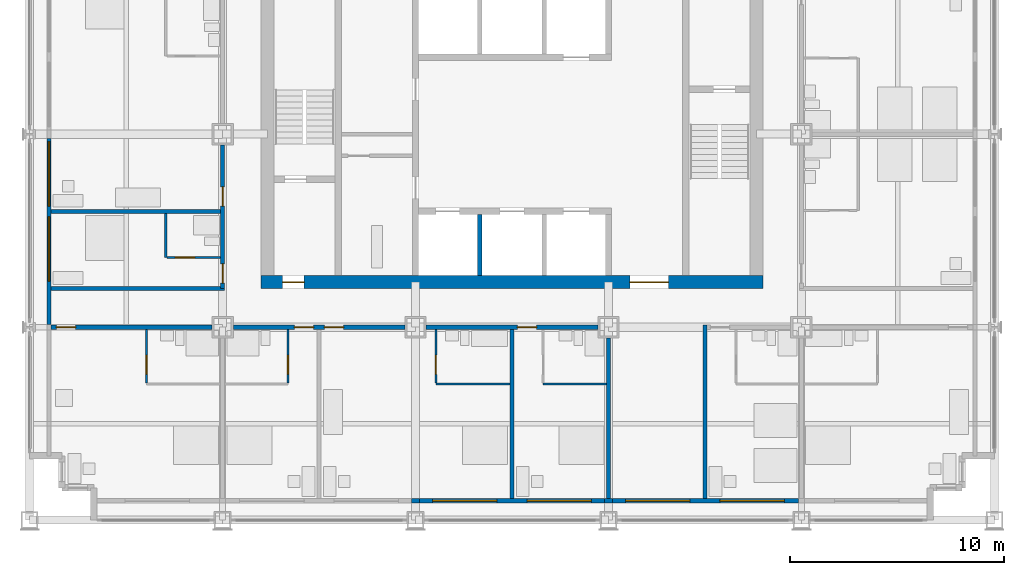
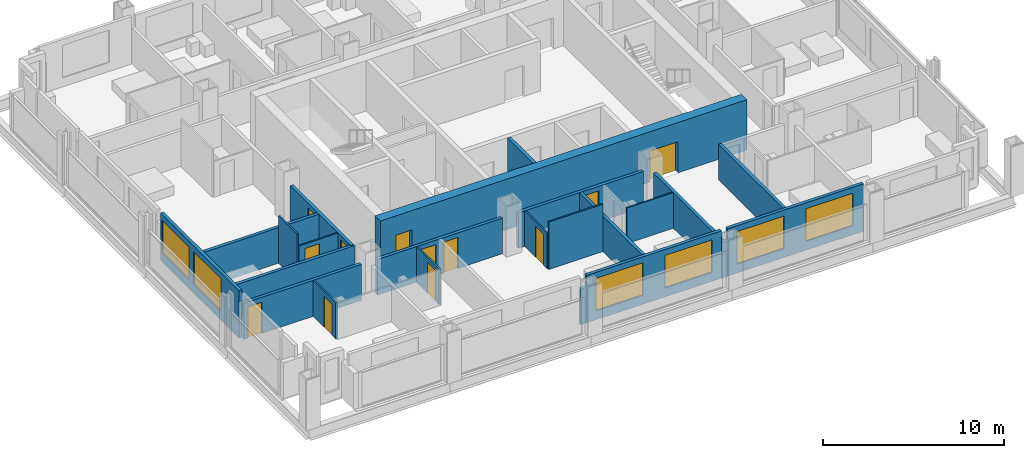
# One storey, part 9 of 16: 23 walls, 12 doors, 6 windows, 18 openings.
"""IFC4 building model written with IfcOpenShell, lengths in metres."""

from ifc_helpers import new_model, si_unit, direction, frame, frame_2d, origin, place, context, subcontext, project, spatial, rectangle, extrude, material, layer, layer_set, type_object, element, fill, save


model = new_model("IFC4")

# Units and contexts
model_context = context("Model", 3, precision=1e-05, world=origin(), true_north=direction((0.0, 1.0)))
body_context = subcontext(model_context, "Body", "Model", "MODEL_VIEW")
ifc_project = project(units=[si_unit("LENGTHUNIT", "METRE"), si_unit("AREAUNIT", "SQUARE_METRE"), si_unit("VOLUMEUNIT", "CUBIC_METRE"), si_unit("PLANEANGLEUNIT", "RADIAN"), si_unit("MASSUNIT", "GRAM", prefix="KILO")], contexts=[model_context])

# Site, building, storey
site_placement = place(None, origin())
site = spatial("IfcSite", under=ifc_project, at=site_placement, CompositionType="ELEMENT")
building_placement = place(site_placement, origin())
building = spatial("IfcBuilding", under=site, at=building_placement, Name="Loomwork Tower", CompositionType="ELEMENT")
storey_placement = place(building_placement, frame((0.0, 0.0, 97.60009765625)))
storey = spatial("IfcBuildingStorey", under=building, at=storey_placement, Name="L25", CompositionType="ELEMENT", Elevation=97.60009765625)

# Wall, openings, doors
ifc_material_1 = material(Name="Concrete 14000 psi (97 MPa)", Category="concrete")
ifc_layer_1 = layer(ifc_material_1, 0.60009765625)
ifc_layer_set_1 = layer_set([ifc_layer_1], Name="Core shear wall 600")
wall_type_1 = type_object("IfcWallType", Name="Core shear wall 600", PredefinedType="SHEAR", material=ifc_layer_set_1)
wall_1_placement = place(storey_placement, frame((10.800048828125, 11.10009765625, 0.0), z_axis=(0.0, 0.0, 1.0), x_axis=(1.0, 0.0, 0.0)))
wall_1 = element("IfcWall", 1, at=wall_1_placement, inside=storey, type_object=wall_type_1, Name="Core wall south L25", PredefinedType="SHEAR", context=body_context, shape_type="SweptSolid", body=[
    extrude(rectangle(XDim=23.39990234375, YDim=0.60009765625, at=frame_2d((11.699951171875, 0.0))), origin(), (0.0, 0.0, 1.0), 3.39990234375),
])
opening_1_placement = place(wall_1_placement, frame((1.0, 0.0, 0.0)))
opening_1 = element("IfcOpeningElement", 2, at=opening_1_placement, cuts=wall_1, Name="Opening D4", PredefinedType="OPENING", context=body_context, shape_type="SweptSolid", body=[
    extrude(rectangle(XDim=1.0, YDim=2.10009765625, at=frame_2d((0.5, 1.050048828125))), frame((0.0, 0.31005859375, 0.0), z_axis=(0.0, -1.0, 0.0), x_axis=(1.0, 0.0, 0.0)), (0.0, 0.0, 1.0), 0.6201171875),
])
opening_2_placement = place(wall_1_placement, frame((17.199951171875, 0.0, 0.0)))
opening_2 = element("IfcOpeningElement", 3, at=opening_2_placement, cuts=wall_1, Name="Opening D6", PredefinedType="OPENING", context=body_context, shape_type="SweptSolid", body=[
    extrude(rectangle(XDim=1.800048828125, YDim=2.10009765625, at=frame_2d((0.89990234375, 1.050048828125))), frame((0.0, 0.31005859375, 0.0), z_axis=(0.0, -1.0, 0.0), x_axis=(1.0, 0.0, 0.0)), (0.0, 0.0, 1.0), 0.6201171875),
])
ifc_material_2 = material(Name="Hollow metal door and frame")
door_type_1 = type_object("IfcDoorType", Name="Lobby passage double door 1800", OperationType="DOUBLE_DOOR_SINGLE_SWING", PredefinedType="DOOR", material=ifc_material_2)
door_1_placement = place(opening_2_placement, origin())
door_1 = element("IfcDoor", 4, at=door_1_placement, inside=storey, type_object=door_type_1, Name="Lobby passage door south", OperationType="DOUBLE_DOOR_SINGLE_SWING", OverallHeight=2.10009765625, OverallWidth=1.800048828125, PredefinedType="DOOR", context=body_context, shape_type="SweptSolid", body=[
    extrude(rectangle(XDim=1.800048828125, YDim=2.10009765625, at=frame_2d((0.89990234375, 1.050048828125))), frame((0.0, 0.02490234375, 0.0), z_axis=(0.0, -1.0, 0.0), x_axis=(1.0, 0.0, 0.0)), (0.0, 0.0, 1.0), 0.050048828125),
])
fill(opening_2, door_1)
ifc_material_3 = material(Name="Hollow metal door and frame")
door_type_2 = type_object("IfcDoorType", Name="Stair door 1000", OperationType="SINGLE_SWING_RIGHT", PredefinedType="DOOR", material=ifc_material_3)
door_2_placement = place(opening_1_placement, origin())
door_2 = element("IfcDoor", 5, at=door_2_placement, inside=storey, type_object=door_type_2, Name="Stair A vestibule door", OperationType="SINGLE_SWING_LEFT", OverallHeight=2.10009765625, OverallWidth=1.0, PredefinedType="DOOR", context=body_context, shape_type="SweptSolid", body=[
    extrude(rectangle(XDim=1.0, YDim=2.10009765625, at=frame_2d((0.5, 1.050048828125))), frame((0.0, 0.02490234375, 0.0), z_axis=(0.0, -1.0, 0.0), x_axis=(1.0, 0.0, 0.0)), (0.0, 0.0, 1.0), 0.050048828125),
])
fill(opening_1, door_2)

# Wall, opening, door
ifc_material_4 = material(Name="Gypsum board on steel studs, one-hour", Category="steel")
ifc_layer_2 = layer(ifc_material_4, 0.199951171875)
ifc_layer_set_2 = layer_set([ifc_layer_2], Name="Corridor wall 200")
wall_type_2 = type_object("IfcWallType", Name="Corridor wall 200", PredefinedType="PARTITIONING", material=ifc_layer_set_2)
wall_2_placement = place(storey_placement, frame((1.0, 9.0, 0.0), z_axis=(0.0, 0.0, 1.0), x_axis=(1.0, 0.0, 0.0)))
wall_2 = element("IfcWall", 6, at=wall_2_placement, inside=storey, type_object=wall_type_2, Name="South corridor wall 1", PredefinedType="PARTITIONING", context=body_context, shape_type="SweptSolid", body=[
    extrude(rectangle(XDim=7.5, YDim=0.199951171875, at=frame_2d((3.75, 0.0))), origin(), (0.0, 0.0, 1.0), 2.43798828125),
])
opening_3_placement = place(wall_2_placement, frame((0.25, 0.0, 0.0)))
opening_3 = element("IfcOpeningElement", 7, at=opening_3_placement, cuts=wall_2, Name="Opening D1", PredefinedType="OPENING", context=body_context, shape_type="SweptSolid", body=[
    extrude(rectangle(XDim=0.89990234375, YDim=2.10009765625, at=frame_2d((0.449951171875, 1.050048828125))), frame((0.0, 0.10986328125, 0.0), z_axis=(0.0, -1.0, 0.0), x_axis=(1.0, 0.0, 0.0)), (0.0, 0.0, 1.0), 0.219970703125),
])
ifc_material_5 = material(Name="Hollow metal door and frame")
door_type_3 = type_object("IfcDoorType", Name="Guest room entry door 900", OperationType="SINGLE_SWING_LEFT", PredefinedType="DOOR", material=ifc_material_5)
door_3_placement = place(opening_3_placement, frame((0.89990234375, 0.0, 0.0), z_axis=(0.0, 0.0, 1.0), x_axis=(-1.0, 0.0, 0.0)))
door_3 = element("IfcDoor", 8, at=door_3_placement, inside=storey, type_object=door_type_3, Name="Guest room entry door L25 1", OperationType="SINGLE_SWING_RIGHT", OverallHeight=2.10009765625, OverallWidth=0.89990234375, PredefinedType="DOOR", context=body_context, shape_type="SweptSolid", body=[
    extrude(rectangle(XDim=0.89990234375, YDim=2.10009765625, at=frame_2d((0.449951171875, 1.050048828125))), frame((0.0, 0.02490234375, 0.0), z_axis=(0.0, -1.0, 0.0), x_axis=(1.0, 0.0, 0.0)), (0.0, 0.0, 1.0), 0.050048828125),
])
fill(opening_3, door_3)

# Wall, openings, doors
wall_3_placement = place(storey_placement, frame((9.5, 9.0, 0.0), z_axis=(0.0, 0.0, 1.0), x_axis=(1.0, 0.0, 0.0)))
wall_3 = element("IfcWall", 9, at=wall_3_placement, inside=storey, type_object=wall_type_2, Name="South corridor wall 2", PredefinedType="PARTITIONING", context=body_context, shape_type="SweptSolid", body=[
    extrude(rectangle(XDim=8.0, YDim=0.199951171875, at=frame_2d((4.0, 0.0))), origin(), (0.0, 0.0, 1.0), 2.40478515625),
])
opening_4_placement = place(wall_3_placement, frame((2.85009765625, 0.0, 0.0)))
opening_4 = element("IfcOpeningElement", 10, at=opening_4_placement, cuts=wall_3, Name="Opening D1", PredefinedType="OPENING", context=body_context, shape_type="SweptSolid", body=[
    extrude(rectangle(XDim=0.89990234375, YDim=2.10009765625, at=frame_2d((0.449951171875, 1.050048828125))), frame((0.0, 0.10986328125, 0.0), z_axis=(0.0, -1.0, 0.0), x_axis=(1.0, 0.0, 0.0)), (0.0, 0.0, 1.0), 0.219970703125),
])
opening_5_placement = place(wall_3_placement, frame((4.25, 0.0, 0.0)))
opening_5 = element("IfcOpeningElement", 11, at=opening_5_placement, cuts=wall_3, Name="Opening D1", PredefinedType="OPENING", context=body_context, shape_type="SweptSolid", body=[
    extrude(rectangle(XDim=0.89990234375, YDim=2.10009765625, at=frame_2d((0.449951171875, 1.050048828125))), frame((0.0, 0.10986328125, 0.0), z_axis=(0.0, -1.0, 0.0), x_axis=(1.0, 0.0, 0.0)), (0.0, 0.0, 1.0), 0.219970703125),
])
door_4_placement = place(opening_4_placement, frame((0.89990234375, 0.0, 0.0), z_axis=(0.0, 0.0, 1.0), x_axis=(-1.0, 0.0, 0.0)))
door_4 = element("IfcDoor", 12, at=door_4_placement, inside=storey, type_object=door_type_3, Name="Guest room entry door L25 2", OperationType="SINGLE_SWING_LEFT", OverallHeight=2.10009765625, OverallWidth=0.89990234375, PredefinedType="DOOR", context=body_context, shape_type="SweptSolid", body=[
    extrude(rectangle(XDim=0.89990234375, YDim=2.10009765625, at=frame_2d((0.449951171875, 1.050048828125))), frame((0.0, 0.02490234375, 0.0), z_axis=(0.0, -1.0, 0.0), x_axis=(1.0, 0.0, 0.0)), (0.0, 0.0, 1.0), 0.050048828125),
])
fill(opening_4, door_4)
door_5_placement = place(opening_5_placement, frame((0.89990234375, 0.0, 0.0), z_axis=(0.0, 0.0, 1.0), x_axis=(-1.0, 0.0, 0.0)))
door_5 = element("IfcDoor", 13, at=door_5_placement, inside=storey, type_object=door_type_3, Name="Guest room entry door L25 3", OperationType="SINGLE_SWING_RIGHT", OverallHeight=2.10009765625, OverallWidth=0.89990234375, PredefinedType="DOOR", context=body_context, shape_type="SweptSolid", body=[
    extrude(rectangle(XDim=0.89990234375, YDim=2.10009765625, at=frame_2d((0.449951171875, 1.050048828125))), frame((0.0, 0.02490234375, 0.0), z_axis=(0.0, -1.0, 0.0), x_axis=(1.0, 0.0, 0.0)), (0.0, 0.0, 1.0), 0.050048828125),
])
fill(opening_5, door_5)

# Wall, opening, door
wall_4_placement = place(storey_placement, frame((18.5, 9.0, 0.0), z_axis=(0.0, 0.0, 1.0), x_axis=(1.0, 0.0, 0.0)))
wall_4 = element("IfcWall", 14, at=wall_4_placement, inside=storey, type_object=wall_type_2, Name="South corridor wall 3", PredefinedType="PARTITIONING", context=body_context, shape_type="SweptSolid", body=[
    extrude(rectangle(XDim=8.0, YDim=0.199951171875, at=frame_2d((4.0, 0.0))), origin(), (0.0, 0.0, 1.0), 2.40478515625),
])
opening_6_placement = place(wall_4_placement, frame((4.25, 0.0, 0.0)))
opening_6 = element("IfcOpeningElement", 15, at=opening_6_placement, cuts=wall_4, Name="Opening D1", PredefinedType="OPENING", context=body_context, shape_type="SweptSolid", body=[
    extrude(rectangle(XDim=0.89990234375, YDim=2.10009765625, at=frame_2d((0.449951171875, 1.050048828125))), frame((0.0, 0.10986328125, 0.0), z_axis=(0.0, -1.0, 0.0), x_axis=(1.0, 0.0, 0.0)), (0.0, 0.0, 1.0), 0.219970703125),
])
door_6_placement = place(opening_6_placement, frame((0.89990234375, 0.0, 0.0), z_axis=(0.0, 0.0, 1.0), x_axis=(-1.0, 0.0, 0.0)))
door_6 = element("IfcDoor", 16, at=door_6_placement, inside=storey, type_object=door_type_3, Name="Guest room entry door L25 4", OperationType="SINGLE_SWING_RIGHT", OverallHeight=2.10009765625, OverallWidth=0.89990234375, PredefinedType="DOOR", context=body_context, shape_type="SweptSolid", body=[
    extrude(rectangle(XDim=0.89990234375, YDim=2.10009765625, at=frame_2d((0.449951171875, 1.050048828125))), frame((0.0, 0.02490234375, 0.0), z_axis=(0.0, -1.0, 0.0), x_axis=(1.0, 0.0, 0.0)), (0.0, 0.0, 1.0), 0.050048828125),
])
fill(opening_6, door_6)

# Wall, openings, doors
wall_5_placement = place(storey_placement, frame((9.0, 10.800048828125, 0.0), z_axis=(0.0, 0.0, 1.0), x_axis=(0.0, 1.0, 0.0)))
wall_5 = element("IfcWall", 17, at=wall_5_placement, inside=storey, type_object=wall_type_2, Name="West corridor wall 1", PredefinedType="PARTITIONING", context=body_context, shape_type="SweptSolid", body=[
    extrude(rectangle(XDim=6.699951171875, YDim=0.199951171875, at=frame_2d((3.35009765625, 0.0))), origin(), (0.0, 0.0, 1.0), 2.40478515625),
])
opening_7_placement = place(wall_5_placement, frame((0.25, 0.0, 0.0)))
opening_7 = element("IfcOpeningElement", 18, at=opening_7_placement, cuts=wall_5, Name="Opening D1", PredefinedType="OPENING", context=body_context, shape_type="SweptSolid", body=[
    extrude(rectangle(XDim=0.89990234375, YDim=2.10009765625, at=frame_2d((0.449951171875, 1.050048828125))), frame((0.0, 0.10986328125, 0.0), z_axis=(0.0, -1.0, 0.0), x_axis=(1.0, 0.0, 0.0)), (0.0, 0.0, 1.0), 0.219970703125),
])
opening_8_placement = place(wall_5_placement, frame((3.85009765625, 0.0, 0.0)))
opening_8 = element("IfcOpeningElement", 19, at=opening_8_placement, cuts=wall_5, Name="Opening D1", PredefinedType="OPENING", context=body_context, shape_type="SweptSolid", body=[
    extrude(rectangle(XDim=0.89990234375, YDim=2.10009765625, at=frame_2d((0.449951171875, 1.050048828125))), frame((0.0, 0.10986328125, 0.0), z_axis=(0.0, -1.0, 0.0), x_axis=(1.0, 0.0, 0.0)), (0.0, 0.0, 1.0), 0.219970703125),
])
door_7_placement = place(opening_7_placement, origin())
door_7 = element("IfcDoor", 20, at=door_7_placement, inside=storey, type_object=door_type_3, Name="Guest room entry door L25 14", OperationType="SINGLE_SWING_LEFT", OverallHeight=2.10009765625, OverallWidth=0.89990234375, PredefinedType="DOOR", context=body_context, shape_type="SweptSolid", body=[
    extrude(rectangle(XDim=0.89990234375, YDim=2.10009765625, at=frame_2d((0.449951171875, 1.050048828125))), frame((0.0, 0.02490234375, 0.0), z_axis=(0.0, -1.0, 0.0), x_axis=(1.0, 0.0, 0.0)), (0.0, 0.0, 1.0), 0.050048828125),
])
fill(opening_7, door_7)
door_8_placement = place(opening_8_placement, origin())
door_8 = element("IfcDoor", 21, at=door_8_placement, inside=storey, type_object=door_type_3, Name="Guest room entry door L25 15", OperationType="SINGLE_SWING_LEFT", OverallHeight=2.10009765625, OverallWidth=0.89990234375, PredefinedType="DOOR", context=body_context, shape_type="SweptSolid", body=[
    extrude(rectangle(XDim=0.89990234375, YDim=2.10009765625, at=frame_2d((0.449951171875, 1.050048828125))), frame((0.0, 0.02490234375, 0.0), z_axis=(0.0, -1.0, 0.0), x_axis=(1.0, 0.0, 0.0)), (0.0, 0.0, 1.0), 0.050048828125),
])
fill(opening_8, door_8)

# Wall
wall_6_placement = place(storey_placement, frame((1.0, 10.800048828125, 0.0), z_axis=(0.0, 0.0, 1.0), x_axis=(1.0, 0.0, 0.0)))
element("IfcWall", 22, at=wall_6_placement, inside=storey, type_object=wall_type_2, Name="West band end wall S", PredefinedType="PARTITIONING", context=body_context, shape_type="SweptSolid", body=[
    extrude(rectangle(XDim=8.10009765625, YDim=0.199951171875, at=frame_2d((4.050048828125, 0.0))), origin(), (0.0, 0.0, 1.0), 2.40380859375),
])

# Wall, opening, door
ifc_material_6 = material(Name="Cement board on steel studs", Category="steel")
ifc_layer_3 = layer(ifc_material_6, 0.10009765625)
ifc_layer_set_3 = layer_set([ifc_layer_3], Name="En-suite partition 100")
wall_type_3 = type_object("IfcWallType", Name="En-suite partition 100", PredefinedType="PARTITIONING", material=ifc_layer_set_3)
wall_7_placement = place(storey_placement, frame((5.449951171875, 8.89990234375, 0.0), z_axis=(0.0, 0.0, 1.0), x_axis=(0.0, -1.0, 0.0)))
wall_7 = element("IfcWall", 23, at=wall_7_placement, inside=storey, type_object=wall_type_3, Name="En-suite side wall L25 room 1", PredefinedType="PARTITIONING", context=body_context, shape_type="SweptSolid", body=[
    extrude(rectangle(XDim=2.5, YDim=0.10009765625, at=frame_2d((1.25, 0.0))), origin(), (0.0, 0.0, 1.0), 2.43798828125),
])
opening_9_placement = place(wall_7_placement, frame((1.199951171875, 0.0, 0.0)))
opening_9 = element("IfcOpeningElement", 24, at=opening_9_placement, cuts=wall_7, Name="Opening D3", PredefinedType="OPENING", context=body_context, shape_type="SweptSolid", body=[
    extrude(rectangle(XDim=0.89990234375, YDim=2.10009765625, at=frame_2d((0.449951171875, 1.050048828125))), frame((0.0, 0.06005859375, 0.0), z_axis=(0.0, -1.0, 0.0), x_axis=(1.0, 0.0, 0.0)), (0.0, 0.0, 1.0), 0.1201171875),
])
ifc_material_7 = material(Name="Hollow metal door and frame")
door_type_4 = type_object("IfcDoorType", Name="Accessible en-suite door 900", OperationType="SLIDING_TO_LEFT", PredefinedType="DOOR", material=ifc_material_7)
door_9_placement = place(opening_9_placement, origin())
door_9 = element("IfcDoor", 25, at=door_9_placement, inside=storey, type_object=door_type_4, Name="Accessible en-suite door room 1", OperationType="SLIDING_TO_LEFT", OverallHeight=2.10009765625, OverallWidth=0.89990234375, PredefinedType="DOOR", context=body_context, shape_type="SweptSolid", body=[
    extrude(rectangle(XDim=0.89990234375, YDim=2.10009765625, at=frame_2d((0.449951171875, 1.050048828125))), frame((0.0, 0.02490234375, 0.0), z_axis=(0.0, -1.0, 0.0), x_axis=(1.0, 0.0, 0.0)), (0.0, 0.0, 1.0), 0.050048828125),
])
fill(opening_9, door_9)

wall_8_placement = place(storey_placement, frame((12.050048828125, 8.89990234375, 0.0), z_axis=(0.0, 0.0, 1.0), x_axis=(0.0, -1.0, 0.0)))
wall_8 = element("IfcWall", 26, at=wall_8_placement, inside=storey, type_object=wall_type_3, Name="En-suite side wall L25 room 2", PredefinedType="PARTITIONING", context=body_context, shape_type="SweptSolid", body=[
    extrude(rectangle(XDim=2.5, YDim=0.10009765625, at=frame_2d((1.25, 0.0))), origin(), (0.0, 0.0, 1.0), 2.40380859375),
])
opening_10_placement = place(wall_8_placement, frame((1.199951171875, 0.0, 0.0)))
opening_10 = element("IfcOpeningElement", 27, at=opening_10_placement, cuts=wall_8, Name="Opening D3", PredefinedType="OPENING", context=body_context, shape_type="SweptSolid", body=[
    extrude(rectangle(XDim=0.89990234375, YDim=2.10009765625, at=frame_2d((0.449951171875, 1.050048828125))), frame((0.0, 0.06005859375, 0.0), z_axis=(0.0, -1.0, 0.0), x_axis=(1.0, 0.0, 0.0)), (0.0, 0.0, 1.0), 0.1201171875),
])
door_10_placement = place(opening_10_placement, origin())
door_10 = element("IfcDoor", 28, at=door_10_placement, inside=storey, type_object=door_type_4, Name="Accessible en-suite door room 2", OperationType="SLIDING_TO_LEFT", OverallHeight=2.10009765625, OverallWidth=0.89990234375, PredefinedType="DOOR", context=body_context, shape_type="SweptSolid", body=[
    extrude(rectangle(XDim=0.89990234375, YDim=2.10009765625, at=frame_2d((0.449951171875, 1.050048828125))), frame((0.0, 0.02490234375, 0.0), z_axis=(0.0, -1.0, 0.0), x_axis=(1.0, 0.0, 0.0)), (0.0, 0.0, 1.0), 0.050048828125),
])
fill(opening_10, door_10)

# Wall
wall_9_placement = place(storey_placement, frame((18.949951171875, 6.35009765625, 0.0), z_axis=(0.0, 0.0, 1.0), x_axis=(1.0, 0.0, 0.0)))
element("IfcWall", 29, at=wall_9_placement, inside=storey, type_object=wall_type_3, Name="En-suite wall L25 room 3", PredefinedType="PARTITIONING", context=body_context, shape_type="SweptSolid", body=[
    extrude(rectangle(XDim=3.449951171875, YDim=0.10009765625, at=frame_2d((1.72509765625, 0.0))), origin(), (0.0, 0.0, 1.0), 3.199951171875),
])

# Wall, opening, door
wall_10_placement = place(storey_placement, frame((18.949951171875, 8.89990234375, 0.0), z_axis=(0.0, 0.0, 1.0), x_axis=(0.0, -1.0, 0.0)))
wall_10 = element("IfcWall", 30, at=wall_10_placement, inside=storey, type_object=wall_type_3, Name="En-suite side wall L25 room 3", PredefinedType="PARTITIONING", context=body_context, shape_type="SweptSolid", body=[
    extrude(rectangle(XDim=2.5, YDim=0.10009765625, at=frame_2d((1.25, 0.0))), origin(), (0.0, 0.0, 1.0), 2.40380859375),
])
opening_11_placement = place(wall_10_placement, frame((1.199951171875, 0.0, 0.0)))
opening_11 = element("IfcOpeningElement", 31, at=opening_11_placement, cuts=wall_10, Name="Opening D2", PredefinedType="OPENING", context=body_context, shape_type="SweptSolid", body=[
    extrude(rectangle(XDim=0.89990234375, YDim=2.10009765625, at=frame_2d((0.449951171875, 1.050048828125))), frame((0.0, 0.06005859375, 0.0), z_axis=(0.0, -1.0, 0.0), x_axis=(1.0, 0.0, 0.0)), (0.0, 0.0, 1.0), 0.1201171875),
])
ifc_material_8 = material(Name="Hollow metal door and frame")
door_type_5 = type_object("IfcDoorType", Name="En-suite door 900", OperationType="SINGLE_SWING_LEFT", PredefinedType="DOOR", material=ifc_material_8)
door_11_placement = place(opening_11_placement, origin())
door_11 = element("IfcDoor", 32, at=door_11_placement, inside=storey, type_object=door_type_5, Name="En-suite door room 3", OperationType="SINGLE_SWING_RIGHT", OverallHeight=2.10009765625, OverallWidth=0.89990234375, PredefinedType="DOOR", context=body_context, shape_type="SweptSolid", body=[
    extrude(rectangle(XDim=0.89990234375, YDim=2.10009765625, at=frame_2d((0.449951171875, 1.050048828125))), frame((0.0, 0.02490234375, 0.0), z_axis=(0.0, -1.0, 0.0), x_axis=(1.0, 0.0, 0.0)), (0.0, 0.0, 1.0), 0.050048828125),
])
fill(opening_11, door_11)

# Walls
wall_11_placement = place(storey_placement, frame((23.949951171875, 6.35009765625, 0.0), z_axis=(0.0, 0.0, 1.0), x_axis=(1.0, 0.0, 0.0)))
element("IfcWall", 33, at=wall_11_placement, inside=storey, type_object=wall_type_3, Name="En-suite wall L25 room 4", PredefinedType="PARTITIONING", context=body_context, shape_type="SweptSolid", body=[
    extrude(rectangle(XDim=2.949951171875, YDim=0.10009765625, at=frame_2d((1.47509765625, 0.0))), origin(), (0.0, 0.0, 1.0), 2.40380859375),
])
wall_12_placement = place(storey_placement, frame((6.35009765625, 12.25, 0.0), z_axis=(0.0, 0.0, 1.0), x_axis=(0.0, 1.0, 0.0)))
element("IfcWall", 34, at=wall_12_placement, inside=storey, type_object=wall_type_3, Name="En-suite wall L25 room 14", PredefinedType="PARTITIONING", context=body_context, shape_type="SweptSolid", body=[
    extrude(rectangle(XDim=2.050048828125, YDim=0.10009765625, at=frame_2d((1.02490234375, 0.0))), origin(), (0.0, 0.0, 1.0), 3.199951171875),
])

# Wall, opening, door
wall_13_placement = place(storey_placement, frame((8.89990234375, 12.25, 0.0), z_axis=(0.0, 0.0, 1.0), x_axis=(-1.0, 0.0, 0.0)))
wall_13 = element("IfcWall", 35, at=wall_13_placement, inside=storey, type_object=wall_type_3, Name="En-suite side wall L25 room 14", PredefinedType="PARTITIONING", context=body_context, shape_type="SweptSolid", body=[
    extrude(rectangle(XDim=2.5, YDim=0.10009765625, at=frame_2d((1.25, 0.0))), origin(), (0.0, 0.0, 1.0), 2.40380859375),
])
opening_12_placement = place(wall_13_placement, frame((1.199951171875, 0.0, 0.0)))
opening_12 = element("IfcOpeningElement", 36, at=opening_12_placement, cuts=wall_13, Name="Opening D2", PredefinedType="OPENING", context=body_context, shape_type="SweptSolid", body=[
    extrude(rectangle(XDim=0.89990234375, YDim=2.10009765625, at=frame_2d((0.449951171875, 1.050048828125))), frame((0.0, 0.06005859375, 0.0), z_axis=(0.0, -1.0, 0.0), x_axis=(1.0, 0.0, 0.0)), (0.0, 0.0, 1.0), 0.1201171875),
])
door_12_placement = place(opening_12_placement, frame((0.89990234375, 0.0, 0.0), z_axis=(0.0, 0.0, 1.0), x_axis=(-1.0, 0.0, 0.0)))
door_12 = element("IfcDoor", 37, at=door_12_placement, inside=storey, type_object=door_type_5, Name="En-suite door room 14", OperationType="SINGLE_SWING_LEFT", OverallHeight=2.10009765625, OverallWidth=0.89990234375, PredefinedType="DOOR", context=body_context, shape_type="SweptSolid", body=[
    extrude(rectangle(XDim=0.89990234375, YDim=2.10009765625, at=frame_2d((0.449951171875, 1.050048828125))), frame((0.0, 0.02490234375, 0.0), z_axis=(0.0, -1.0, 0.0), x_axis=(1.0, 0.0, 0.0)), (0.0, 0.0, 1.0), 0.050048828125),
])
fill(opening_12, door_12)

# Walls
ifc_material_9 = material(Name="Gypsum board on steel studs, acoustic", Category="steel")
ifc_layer_4 = layer(ifc_material_9, 0.199951171875)
ifc_layer_set_4 = layer_set([ifc_layer_4], Name="Guest room party wall 200")
wall_type_4 = type_object("IfcWallType", Name="Guest room party wall 200", PredefinedType="PARTITIONING", material=ifc_layer_set_4)
wall_14_placement = place(storey_placement, frame((22.5, 8.89990234375, 0.0), z_axis=(0.0, 0.0, 1.0), x_axis=(0.0, -1.0, 0.0)))
element("IfcWall", 38, at=wall_14_placement, inside=storey, type_object=wall_type_4, Name="Guest room party wall S 22.5", PredefinedType="PARTITIONING", context=body_context, shape_type="SweptSolid", body=[
    extrude(rectangle(XDim=7.89990234375, YDim=0.199951171875, at=frame_2d((3.949951171875, 0.0))), origin(), (0.0, 0.0, 1.0), 2.40380859375),
])
wall_15_placement = place(storey_placement, frame((27.0, 8.5, 0.0), z_axis=(0.0, 0.0, 1.0), x_axis=(0.0, -1.0, 0.0)))
element("IfcWall", 39, at=wall_15_placement, inside=storey, type_object=wall_type_4, Name="Guest room party wall S 27", PredefinedType="PARTITIONING", context=body_context, shape_type="SweptSolid", body=[
    extrude(rectangle(XDim=7.5, YDim=0.199951171875, at=frame_2d((3.75, 0.0))), origin(), (0.0, 0.0, 1.0), 2.40478515625),
])
wall_16_placement = place(storey_placement, frame((31.5, 9.10009765625, 0.0), z_axis=(0.0, 0.0, 1.0), x_axis=(0.0, -1.0, 0.0)))
element("IfcWall", 40, at=wall_16_placement, inside=storey, type_object=wall_type_4, Name="Guest room party wall S 31.5", PredefinedType="PARTITIONING", context=body_context, shape_type="SweptSolid", body=[
    extrude(rectangle(XDim=8.10009765625, YDim=0.199951171875, at=frame_2d((4.050048828125, 0.0))), origin(), (0.0, 0.0, 1.0), 2.40380859375),
])
wall_17_placement = place(storey_placement, frame((8.89990234375, 14.39990234375, 0.0), z_axis=(0.0, 0.0, 1.0), x_axis=(-1.0, 0.0, 0.0)))
element("IfcWall", 41, at=wall_17_placement, inside=storey, type_object=wall_type_4, Name="Guest room party wall W 14.4", PredefinedType="PARTITIONING", context=body_context, shape_type="SweptSolid", body=[
    extrude(rectangle(XDim=7.89990234375, YDim=0.199951171875, at=frame_2d((3.949951171875, 0.0))), origin(), (0.0, 0.0, 1.0), 2.40380859375),
])
ifc_material_10 = material(Name="Insulated steel stud wall with gypsum lining", Category="steel")
ifc_layer_5 = layer(ifc_material_10, 0.199951171875)
ifc_layer_set_5 = layer_set([ifc_layer_5], Name="Inner skin wall 200")
wall_type_5 = type_object("IfcWallType", Name="Inner skin wall 200", PredefinedType="SOLIDWALL", material=ifc_layer_set_5)
wall_18_placement = place(storey_placement, frame((17.80615234375, 0.89990234375, 0.0), z_axis=(0.0, 0.0, 1.0), x_axis=(1.0, 0.0, 0.0)))
element("IfcWall", 42, at=wall_18_placement, inside=storey, type_object=wall_type_5, Name="Inner skin wall S bay 4", PredefinedType="SOLIDWALL", context=body_context, shape_type="SweptSolid", body=[
    extrude(rectangle(XDim=0.3876953125, YDim=0.199951171875, at=frame_2d((0.19384765625, 0.0))), origin(), (0.0, 0.0, 1.0), 2.40380859375),
])

# Wall, openings, windows
wall_19_placement = place(storey_placement, frame((18.19384765625, 0.89990234375, 0.0), z_axis=(0.0, 0.0, 1.0), x_axis=(1.0, 0.0, 0.0)))
wall_19 = element("IfcWall", 43, at=wall_19_placement, inside=storey, type_object=wall_type_5, Name="Inner skin wall S bay 5", PredefinedType="SOLIDWALL", context=body_context, shape_type="SweptSolid", body=[
    extrude(rectangle(XDim=8.6123046875, YDim=0.199951171875, at=frame_2d((4.30615234375, 0.0))), origin(), (0.0, 0.0, 1.0), 3.199951171875),
])
opening_13_placement = place(wall_19_placement, frame((0.606201171875, 0.0, 0.60009765625)))
opening_13 = element("IfcOpeningElement", 44, at=opening_13_placement, cuts=wall_19, Name="Opening CH1", PredefinedType="OPENING", context=body_context, shape_type="SweptSolid", body=[
    extrude(rectangle(XDim=3.0, YDim=2.199951171875, at=frame_2d((1.5, 1.10009765625))), frame((0.0, 0.10986328125, 0.0), z_axis=(0.0, -1.0, 0.0), x_axis=(1.0, 0.0, 0.0)), (0.0, 0.0, 1.0), 0.219970703125),
])
opening_14_placement = place(wall_19_placement, frame((5.006103515625, 0.0, 0.60009765625)))
opening_14 = element("IfcOpeningElement", 45, at=opening_14_placement, cuts=wall_19, Name="Opening CH1", PredefinedType="OPENING", context=body_context, shape_type="SweptSolid", body=[
    extrude(rectangle(XDim=3.0, YDim=2.199951171875, at=frame_2d((1.5, 1.10009765625))), frame((0.0, 0.10986328125, 0.0), z_axis=(0.0, -1.0, 0.0), x_axis=(1.0, 0.0, 0.0)), (0.0, 0.0, 1.0), 0.219970703125),
])
ifc_material_11 = material(Name="Aluminium frame with clear insulated glass", Category="aluminium")
window_type = type_object("IfcWindowType", Name="Chicago window 3000", PartitioningType="TRIPLE_PANEL_VERTICAL", PredefinedType="WINDOW", material=ifc_material_11)
window_1_placement = place(opening_13_placement, origin())
window_1 = element("IfcWindow", 46, at=window_1_placement, inside=storey, type_object=window_type, Name="Chicago window L25 bay 3", OverallHeight=2.199951171875, OverallWidth=3.0, PartitioningType="TRIPLE_PANEL_VERTICAL", PredefinedType="WINDOW", context=body_context, shape_type="SweptSolid", body=[
    extrude(rectangle(XDim=3.0, YDim=2.199951171875, at=frame_2d((1.5, 1.10009765625))), frame((0.0, 0.030029296875, 0.0), z_axis=(0.0, -1.0, 0.0), x_axis=(1.0, 0.0, 0.0)), (0.0, 0.0, 1.0), 0.06005859375),
])
fill(opening_13, window_1)
window_2_placement = place(opening_14_placement, origin())
window_2 = element("IfcWindow", 47, at=window_2_placement, inside=storey, type_object=window_type, Name="Chicago window L25 bay 3", OverallHeight=2.199951171875, OverallWidth=3.0, PartitioningType="TRIPLE_PANEL_VERTICAL", PredefinedType="WINDOW", context=body_context, shape_type="SweptSolid", body=[
    extrude(rectangle(XDim=3.0, YDim=2.199951171875, at=frame_2d((1.5, 1.10009765625))), frame((0.0, 0.030029296875, 0.0), z_axis=(0.0, -1.0, 0.0), x_axis=(1.0, 0.0, 0.0)), (0.0, 0.0, 1.0), 0.06005859375),
])
fill(opening_14, window_2)

# Wall
wall_20_placement = place(storey_placement, frame((26.80615234375, 0.89990234375, 0.0), z_axis=(0.0, 0.0, 1.0), x_axis=(1.0, 0.0, 0.0)))
element("IfcWall", 48, at=wall_20_placement, inside=storey, type_object=wall_type_5, Name="Inner skin wall S bay 6", PredefinedType="SOLIDWALL", context=body_context, shape_type="SweptSolid", body=[
    extrude(rectangle(XDim=0.3876953125, YDim=0.199951171875, at=frame_2d((0.19384765625, 0.0))), origin(), (0.0, 0.0, 1.0), 2.40380859375),
])

# Wall, openings, windows
wall_21_placement = place(storey_placement, frame((27.19384765625, 0.89990234375, 0.0), z_axis=(0.0, 0.0, 1.0), x_axis=(1.0, 0.0, 0.0)))
wall_21 = element("IfcWall", 49, at=wall_21_placement, inside=storey, type_object=wall_type_5, Name="Inner skin wall S bay 7", PredefinedType="SOLIDWALL", context=body_context, shape_type="SweptSolid", body=[
    extrude(rectangle(XDim=8.670654296875, YDim=0.199951171875, at=frame_2d((4.33544921875, 0.0))), origin(), (0.0, 0.0, 1.0), 3.199951171875),
])
opening_15_placement = place(wall_21_placement, frame((0.606201171875, 0.0, 0.60009765625)))
opening_15 = element("IfcOpeningElement", 50, at=opening_15_placement, cuts=wall_21, Name="Opening CH1", PredefinedType="OPENING", context=body_context, shape_type="SweptSolid", body=[
    extrude(rectangle(XDim=3.0, YDim=2.199951171875, at=frame_2d((1.5, 1.10009765625))), frame((0.0, 0.10986328125, 0.0), z_axis=(0.0, -1.0, 0.0), x_axis=(1.0, 0.0, 0.0)), (0.0, 0.0, 1.0), 0.219970703125),
])
opening_16_placement = place(wall_21_placement, frame((5.006103515625, 0.0, 0.60009765625)))
opening_16 = element("IfcOpeningElement", 51, at=opening_16_placement, cuts=wall_21, Name="Opening CH1", PredefinedType="OPENING", context=body_context, shape_type="SweptSolid", body=[
    extrude(rectangle(XDim=3.0, YDim=2.199951171875, at=frame_2d((1.5, 1.10009765625))), frame((0.0, 0.10986328125, 0.0), z_axis=(0.0, -1.0, 0.0), x_axis=(1.0, 0.0, 0.0)), (0.0, 0.0, 1.0), 0.219970703125),
])
window_3_placement = place(opening_15_placement, origin())
window_3 = element("IfcWindow", 52, at=window_3_placement, inside=storey, type_object=window_type, Name="Chicago window L25 bay 4", OverallHeight=2.199951171875, OverallWidth=3.0, PartitioningType="TRIPLE_PANEL_VERTICAL", PredefinedType="WINDOW", context=body_context, shape_type="SweptSolid", body=[
    extrude(rectangle(XDim=3.0, YDim=2.199951171875, at=frame_2d((1.5, 1.10009765625))), frame((0.0, 0.030029296875, 0.0), z_axis=(0.0, -1.0, 0.0), x_axis=(1.0, 0.0, 0.0)), (0.0, 0.0, 1.0), 0.06005859375),
])
fill(opening_15, window_3)
window_4_placement = place(opening_16_placement, origin())
window_4 = element("IfcWindow", 53, at=window_4_placement, inside=storey, type_object=window_type, Name="Chicago window L25 bay 4", OverallHeight=2.199951171875, OverallWidth=3.0, PartitioningType="TRIPLE_PANEL_VERTICAL", PredefinedType="WINDOW", context=body_context, shape_type="SweptSolid", body=[
    extrude(rectangle(XDim=3.0, YDim=2.199951171875, at=frame_2d((1.5, 1.10009765625))), frame((0.0, 0.030029296875, 0.0), z_axis=(0.0, -1.0, 0.0), x_axis=(1.0, 0.0, 0.0)), (0.0, 0.0, 1.0), 0.06005859375),
])
fill(opening_16, window_4)

wall_22_placement = place(storey_placement, frame((0.89990234375, 9.13525390625, 0.0), z_axis=(0.0, 0.0, 1.0), x_axis=(0.0, 1.0, 0.0)))
wall_22 = element("IfcWall", 54, at=wall_22_placement, inside=storey, type_object=wall_type_5, Name="Inner skin wall W bay 5", PredefinedType="SOLIDWALL", context=body_context, shape_type="SweptSolid", body=[
    extrude(rectangle(XDim=8.6708984375, YDim=0.199951171875, at=frame_2d((4.33544921875, 0.0))), origin(), (0.0, 0.0, 1.0), 3.199951171875),
])
opening_17_placement = place(wall_22_placement, frame((2.0146484375, 0.0, 0.60009765625)))
opening_17 = element("IfcOpeningElement", 55, at=opening_17_placement, cuts=wall_22, Name="Opening CH1", PredefinedType="OPENING", context=body_context, shape_type="SweptSolid", body=[
    extrude(rectangle(XDim=3.0, YDim=2.199951171875, at=frame_2d((1.5, 1.10009765625))), frame((0.0, 0.10986328125, 0.0), z_axis=(0.0, -1.0, 0.0), x_axis=(1.0, 0.0, 0.0)), (0.0, 0.0, 1.0), 0.219970703125),
])
opening_18_placement = place(wall_22_placement, frame((5.5146484375, 0.0, 0.60009765625)))
opening_18 = element("IfcOpeningElement", 56, at=opening_18_placement, cuts=wall_22, Name="Opening CH1", PredefinedType="OPENING", context=body_context, shape_type="SweptSolid", body=[
    extrude(rectangle(XDim=3.0, YDim=2.199951171875, at=frame_2d((1.5, 1.10009765625))), frame((0.0, 0.10986328125, 0.0), z_axis=(0.0, -1.0, 0.0), x_axis=(1.0, 0.0, 0.0)), (0.0, 0.0, 1.0), 0.219970703125),
])
window_5_placement = place(opening_17_placement, origin())
window_5 = element("IfcWindow", 57, at=window_5_placement, inside=storey, type_object=window_type, Name="Chicago window L25 bay 11", OverallHeight=2.199951171875, OverallWidth=3.0, PartitioningType="TRIPLE_PANEL_VERTICAL", PredefinedType="WINDOW", context=body_context, shape_type="SweptSolid", body=[
    extrude(rectangle(XDim=3.0, YDim=2.199951171875, at=frame_2d((1.5, 1.10009765625))), frame((0.0, 0.030029296875, 0.0), z_axis=(0.0, -1.0, 0.0), x_axis=(1.0, 0.0, 0.0)), (0.0, 0.0, 1.0), 0.06005859375),
])
fill(opening_17, window_5)
window_6_placement = place(opening_18_placement, origin())
window_6 = element("IfcWindow", 58, at=window_6_placement, inside=storey, type_object=window_type, Name="Chicago window L25 bay 11", OverallHeight=2.199951171875, OverallWidth=3.0, PartitioningType="TRIPLE_PANEL_VERTICAL", PredefinedType="WINDOW", context=body_context, shape_type="SweptSolid", body=[
    extrude(rectangle(XDim=3.0, YDim=2.199951171875, at=frame_2d((1.5, 1.10009765625))), frame((0.0, 0.030029296875, 0.0), z_axis=(0.0, -1.0, 0.0), x_axis=(1.0, 0.0, 0.0)), (0.0, 0.0, 1.0), 0.06005859375),
])
fill(opening_18, window_6)

# Wall
ifc_material_12 = material(Name="Concrete 14000 psi (97 MPa)", Category="concrete")
ifc_layer_6 = layer(ifc_material_12, 0.199951171875)
ifc_layer_set_6 = layer_set([ifc_layer_6], Name="Lift shaft wall 200")
wall_type_6 = type_object("IfcWallType", Name="Lift shaft wall 200", PredefinedType="SHEAR", material=ifc_layer_set_6)
wall_23_placement = place(storey_placement, frame((21.0, 11.39990234375, 0.0), z_axis=(0.0, 0.0, 1.0), x_axis=(0.0, 1.0, 0.0)))
element("IfcWall", 59, at=wall_23_placement, inside=storey, type_object=wall_type_6, Name="Lift shaft separation wall south 1 L25", PredefinedType="SHEAR", context=body_context, shape_type="SweptSolid", body=[
    extrude(rectangle(XDim=2.85009765625, YDim=0.199951171875, at=frame_2d((1.425048828125, 0.0))), origin(), (0.0, 0.0, 1.0), 3.39990234375),
])

save(model, "model.ifc")
